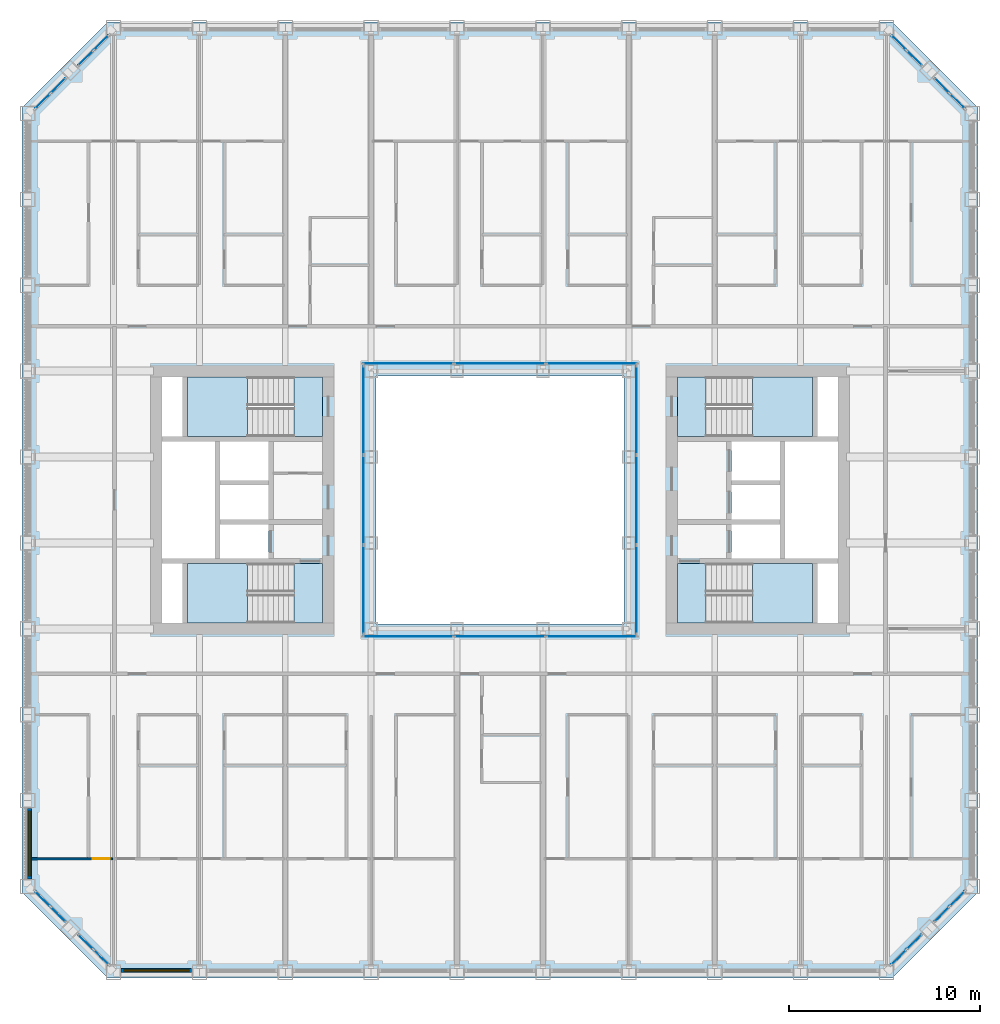
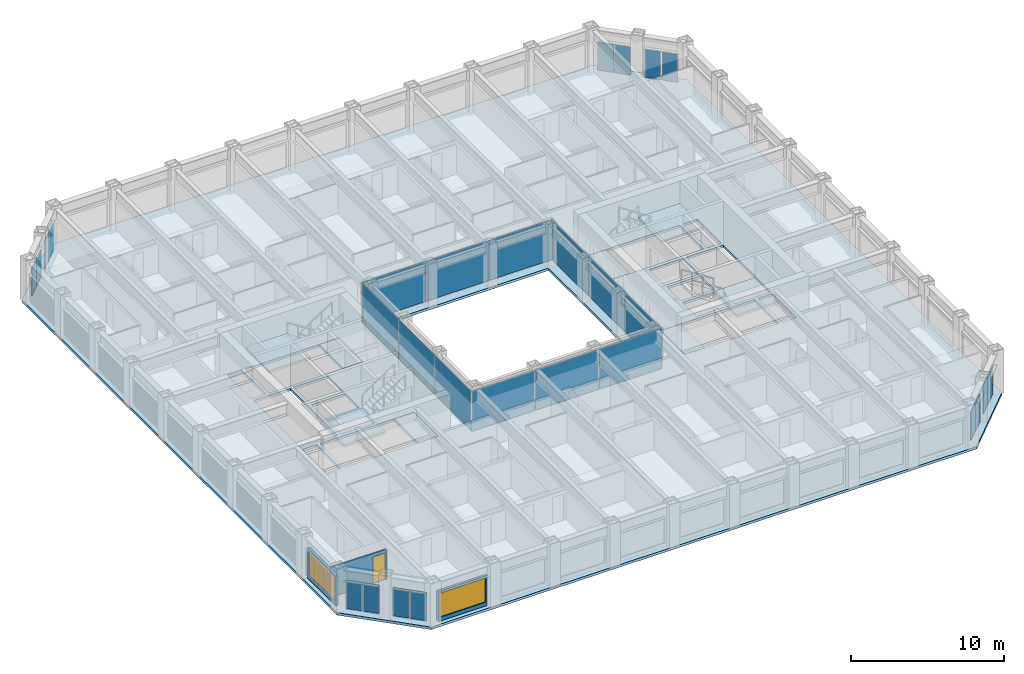
# One storey, part 8 of 20: 28 plates, 9 slabs, 3 walls, 2 windows, 1 door, 3 openings, 16 elements without a shape of their own.
"""IFC4 building model written with IfcOpenShell, lengths in metres."""

from ifc_helpers import new_model, si_unit, direction, frame, frame_2d, origin, origin_2d, place, context, subcontext, project, spatial, polyline, rectangle, outline, extrude, material, layer, layer_set, type_object, element, fill, aggregate, save


model = new_model("IFC4")

# Units and contexts
model_context = context("Model", 3, precision=1e-05, world=origin(), true_north=direction((0.0, 1.0)))
body_context = subcontext(model_context, "Body", "Model", "MODEL_VIEW")
ifc_project = project(units=[si_unit("LENGTHUNIT", "METRE"), si_unit("AREAUNIT", "SQUARE_METRE"), si_unit("VOLUMEUNIT", "CUBIC_METRE"), si_unit("PLANEANGLEUNIT", "RADIAN"), si_unit("MASSUNIT", "GRAM", prefix="KILO")], contexts=[model_context])

# Site, building, storey
site_placement = place(None, origin())
site = spatial("IfcSite", under=ifc_project, at=site_placement, CompositionType="ELEMENT")
building_placement = place(site_placement, origin())
building = spatial("IfcBuilding", under=site, at=building_placement, Name="Msasa Ring Tower", CompositionType="ELEMENT")
storey_placement = place(building_placement, frame((0.0, 0.0, 58.0)))
storey = spatial("IfcBuildingStorey", under=building, at=storey_placement, Name="L14", CompositionType="ELEMENT", Elevation=58.0)

# Curtain wall, plates
ifc_material_1 = material(Name="Aluminium curtain wall with clear glass", Category="aluminium")
curtain_wall_type_1 = type_object("IfcCurtainWallType", Name="CW-C CHAMFER CORNER CURTAIN WALL", PredefinedType="NOTDEFINED", material=ifc_material_1)
curtain_wall_1_placement = place(storey_placement, origin())
curtain_wall_1 = element("IfcCurtainWall", 1, at=curtain_wall_1_placement, inside=storey, type_object=curtain_wall_type_1, Name="Chamfer corner curtain wall SE L14", PredefinedType="NOTDEFINED")
ifc_material_2 = material(Name="Clear laminated insulating glass unit", Category="glass")
ifc_layer_1 = layer(ifc_material_2, 0.031982421875)
ifc_layer_set_1 = layer_set([ifc_layer_1], Name="CW-C GLASS PANEL 32")
plate_type_1 = type_object("IfcPlateType", Name="CW-C GLASS PANEL 32", PredefinedType="CURTAIN_PANEL", material=ifc_layer_set_1)
plate_1_placement = place(storey_placement, frame((20.896484375, -23.962158203125, 0.06494140625), z_axis=(0.0, 0.0, 1.0), x_axis=(0.707106781187, 0.707106781187, 0.0)))
plate_1 = element("IfcPlate", 2, at=plate_1_placement, type_object=plate_type_1, Name="CW-C panel 1.1", PredefinedType="CURTAIN_PANEL", context=body_context, shape_type="SweptSolid", body=[
    extrude(rectangle(XDim=1.08837890625, YDim=0.031982421875, at=origin_2d()), origin(), (0.0, 0.0, 1.0), 2.2490234375),
])
plate_2_placement = place(storey_placement, frame((21.712158203125, -23.146484375, 0.06494140625), z_axis=(0.0, 0.0, 1.0), x_axis=(0.707106781187, 0.707106781187, 0.0)))
plate_2 = element("IfcPlate", 3, at=plate_2_placement, type_object=plate_type_1, Name="CW-C panel 2.1", PredefinedType="CURTAIN_PANEL", context=body_context, shape_type="SweptSolid", body=[
    extrude(rectangle(XDim=1.08837890625, YDim=0.031982421875, at=origin_2d()), origin(), (0.0, 0.0, 1.0), 2.2490234375),
])
aggregate(curtain_wall_1, [plate_1, plate_2])

curtain_wall_2_placement = place(storey_placement, origin())
curtain_wall_2 = element("IfcCurtainWall", 4, at=curtain_wall_2_placement, inside=storey, type_object=curtain_wall_type_1, Name="Chamfer corner curtain wall SE L14", PredefinedType="NOTDEFINED")
plate_3_placement = place(storey_placement, frame((23.146484375, -21.712158203125, 0.06494140625), z_axis=(0.0, 0.0, 1.0), x_axis=(0.707106781187, 0.707106781187, 0.0)))
plate_3 = element("IfcPlate", 5, at=plate_3_placement, type_object=plate_type_1, Name="CW-C panel 1.1", PredefinedType="CURTAIN_PANEL", context=body_context, shape_type="SweptSolid", body=[
    extrude(rectangle(XDim=1.08837890625, YDim=0.031982421875, at=origin_2d()), origin(), (0.0, 0.0, 1.0), 2.2490234375),
])
plate_4_placement = place(storey_placement, frame((23.962158203125, -20.896484375, 0.06494140625), z_axis=(0.0, 0.0, 1.0), x_axis=(0.707106781187, 0.707106781187, 0.0)))
plate_4 = element("IfcPlate", 6, at=plate_4_placement, type_object=plate_type_1, Name="CW-C panel 2.1", PredefinedType="CURTAIN_PANEL", context=body_context, shape_type="SweptSolid", body=[
    extrude(rectangle(XDim=1.08837890625, YDim=0.031982421875, at=origin_2d()), origin(), (0.0, 0.0, 1.0), 2.2490234375),
])
aggregate(curtain_wall_2, [plate_3, plate_4])

curtain_wall_3_placement = place(storey_placement, origin())
curtain_wall_3 = element("IfcCurtainWall", 7, at=curtain_wall_3_placement, inside=storey, type_object=curtain_wall_type_1, Name="Chamfer corner curtain wall NE L14", PredefinedType="NOTDEFINED")
plate_5_placement = place(storey_placement, frame((21.712158203125, 23.146484375, 0.06494140625), z_axis=(0.0, 0.0, 1.0), x_axis=(-0.707106781187, 0.707106781187, 0.0)))
plate_5 = element("IfcPlate", 8, at=plate_5_placement, type_object=plate_type_1, Name="CW-C panel 1.1", PredefinedType="CURTAIN_PANEL", context=body_context, shape_type="SweptSolid", body=[
    extrude(rectangle(XDim=1.08837890625, YDim=0.031982421875, at=origin_2d()), origin(), (0.0, 0.0, 1.0), 2.2490234375),
])
plate_6_placement = place(storey_placement, frame((20.896484375, 23.962158203125, 0.06494140625), z_axis=(0.0, 0.0, 1.0), x_axis=(-0.707106781187, 0.707106781187, 0.0)))
plate_6 = element("IfcPlate", 9, at=plate_6_placement, type_object=plate_type_1, Name="CW-C panel 2.1", PredefinedType="CURTAIN_PANEL", context=body_context, shape_type="SweptSolid", body=[
    extrude(rectangle(XDim=1.08837890625, YDim=0.031982421875, at=origin_2d()), origin(), (0.0, 0.0, 1.0), 2.2490234375),
])
aggregate(curtain_wall_3, [plate_5, plate_6])

curtain_wall_4_placement = place(storey_placement, origin())
curtain_wall_4 = element("IfcCurtainWall", 10, at=curtain_wall_4_placement, inside=storey, type_object=curtain_wall_type_1, Name="Chamfer corner curtain wall NE L14", PredefinedType="NOTDEFINED")
plate_7_placement = place(storey_placement, frame((23.962158203125, 20.896484375, 0.06494140625), z_axis=(0.0, 0.0, 1.0), x_axis=(-0.707106781187, 0.707106781187, 0.0)))
plate_7 = element("IfcPlate", 11, at=plate_7_placement, type_object=plate_type_1, Name="CW-C panel 1.1", PredefinedType="CURTAIN_PANEL", context=body_context, shape_type="SweptSolid", body=[
    extrude(rectangle(XDim=1.08837890625, YDim=0.031982421875, at=origin_2d()), origin(), (0.0, 0.0, 1.0), 2.2490234375),
])
plate_8_placement = place(storey_placement, frame((23.146484375, 21.712158203125, 0.06494140625), z_axis=(0.0, 0.0, 1.0), x_axis=(-0.707106781187, 0.707106781187, 0.0)))
plate_8 = element("IfcPlate", 12, at=plate_8_placement, type_object=plate_type_1, Name="CW-C panel 2.1", PredefinedType="CURTAIN_PANEL", context=body_context, shape_type="SweptSolid", body=[
    extrude(rectangle(XDim=1.08837890625, YDim=0.031982421875, at=origin_2d()), origin(), (0.0, 0.0, 1.0), 2.2490234375),
])
aggregate(curtain_wall_4, [plate_7, plate_8])

curtain_wall_5_placement = place(storey_placement, origin())
curtain_wall_5 = element("IfcCurtainWall", 13, at=curtain_wall_5_placement, inside=storey, type_object=curtain_wall_type_1, Name="Chamfer corner curtain wall NW L14", PredefinedType="NOTDEFINED")
plate_9_placement = place(storey_placement, frame((-23.146484375, 21.712158203125, 0.06494140625), z_axis=(0.0, 0.0, 1.0), x_axis=(-0.707106781187, -0.707106781187, 0.0)))
plate_9 = element("IfcPlate", 14, at=plate_9_placement, type_object=plate_type_1, Name="CW-C panel 1.1", PredefinedType="CURTAIN_PANEL", context=body_context, shape_type="SweptSolid", body=[
    extrude(rectangle(XDim=1.08837890625, YDim=0.031982421875, at=origin_2d()), origin(), (0.0, 0.0, 1.0), 2.2490234375),
])
plate_10_placement = place(storey_placement, frame((-23.962158203125, 20.896484375, 0.06494140625), z_axis=(0.0, 0.0, 1.0), x_axis=(-0.707106781187, -0.707106781187, 0.0)))
plate_10 = element("IfcPlate", 15, at=plate_10_placement, type_object=plate_type_1, Name="CW-C panel 2.1", PredefinedType="CURTAIN_PANEL", context=body_context, shape_type="SweptSolid", body=[
    extrude(rectangle(XDim=1.08837890625, YDim=0.031982421875, at=origin_2d()), origin(), (0.0, 0.0, 1.0), 2.2490234375),
])
aggregate(curtain_wall_5, [plate_9, plate_10])

curtain_wall_6_placement = place(storey_placement, origin())
curtain_wall_6 = element("IfcCurtainWall", 16, at=curtain_wall_6_placement, inside=storey, type_object=curtain_wall_type_1, Name="Chamfer corner curtain wall NW L14", PredefinedType="NOTDEFINED")
plate_11_placement = place(storey_placement, frame((-20.896484375, 23.962158203125, 0.06494140625), z_axis=(0.0, 0.0, 1.0), x_axis=(-0.707106781187, -0.707106781187, 0.0)))
plate_11 = element("IfcPlate", 17, at=plate_11_placement, type_object=plate_type_1, Name="CW-C panel 1.1", PredefinedType="CURTAIN_PANEL", context=body_context, shape_type="SweptSolid", body=[
    extrude(rectangle(XDim=1.08837890625, YDim=0.031982421875, at=origin_2d()), origin(), (0.0, 0.0, 1.0), 2.2490234375),
])
plate_12_placement = place(storey_placement, frame((-21.712158203125, 23.146484375, 0.06494140625), z_axis=(0.0, 0.0, 1.0), x_axis=(-0.707106781187, -0.707106781187, 0.0)))
plate_12 = element("IfcPlate", 18, at=plate_12_placement, type_object=plate_type_1, Name="CW-C panel 2.1", PredefinedType="CURTAIN_PANEL", context=body_context, shape_type="SweptSolid", body=[
    extrude(rectangle(XDim=1.08837890625, YDim=0.031982421875, at=origin_2d()), origin(), (0.0, 0.0, 1.0), 2.2490234375),
])
aggregate(curtain_wall_6, [plate_11, plate_12])

curtain_wall_7_placement = place(storey_placement, origin())
curtain_wall_7 = element("IfcCurtainWall", 19, at=curtain_wall_7_placement, inside=storey, type_object=curtain_wall_type_1, Name="Chamfer corner curtain wall SW L14", PredefinedType="NOTDEFINED")
plate_13_placement = place(storey_placement, frame((-23.962158203125, -20.896484375, 0.06494140625), z_axis=(0.0, 0.0, 1.0), x_axis=(0.707106781187, -0.707106781187, 0.0)))
plate_13 = element("IfcPlate", 20, at=plate_13_placement, type_object=plate_type_1, Name="CW-C panel 1.1", PredefinedType="CURTAIN_PANEL", context=body_context, shape_type="SweptSolid", body=[
    extrude(rectangle(XDim=1.08837890625, YDim=0.031982421875, at=origin_2d()), origin(), (0.0, 0.0, 1.0), 2.2490234375),
])
plate_14_placement = place(storey_placement, frame((-23.146484375, -21.712158203125, 0.06494140625), z_axis=(0.0, 0.0, 1.0), x_axis=(0.707106781187, -0.707106781187, 0.0)))
plate_14 = element("IfcPlate", 21, at=plate_14_placement, type_object=plate_type_1, Name="CW-C panel 2.1", PredefinedType="CURTAIN_PANEL", context=body_context, shape_type="SweptSolid", body=[
    extrude(rectangle(XDim=1.08837890625, YDim=0.031982421875, at=origin_2d()), origin(), (0.0, 0.0, 1.0), 2.2490234375),
])
aggregate(curtain_wall_7, [plate_13, plate_14])

curtain_wall_8_placement = place(storey_placement, origin())
curtain_wall_8 = element("IfcCurtainWall", 22, at=curtain_wall_8_placement, inside=storey, type_object=curtain_wall_type_1, Name="Chamfer corner curtain wall SW L14", PredefinedType="NOTDEFINED")
plate_15_placement = place(storey_placement, frame((-21.712158203125, -23.146484375, 0.06494140625), z_axis=(0.0, 0.0, 1.0), x_axis=(0.707106781187, -0.707106781187, 0.0)))
plate_15 = element("IfcPlate", 23, at=plate_15_placement, type_object=plate_type_1, Name="CW-C panel 1.1", PredefinedType="CURTAIN_PANEL", context=body_context, shape_type="SweptSolid", body=[
    extrude(rectangle(XDim=1.08837890625, YDim=0.031982421875, at=origin_2d()), origin(), (0.0, 0.0, 1.0), 2.2490234375),
])
plate_16_placement = place(storey_placement, frame((-20.896484375, -23.962158203125, 0.06494140625), z_axis=(0.0, 0.0, 1.0), x_axis=(0.707106781187, -0.707106781187, 0.0)))
plate_16 = element("IfcPlate", 24, at=plate_16_placement, type_object=plate_type_1, Name="CW-C panel 2.1", PredefinedType="CURTAIN_PANEL", context=body_context, shape_type="SweptSolid", body=[
    extrude(rectangle(XDim=1.08837890625, YDim=0.031982421875, at=origin_2d()), origin(), (0.0, 0.0, 1.0), 2.2490234375),
])
aggregate(curtain_wall_8, [plate_15, plate_16])

ifc_material_3 = material(Name="Aluminium curtain wall with clear glass", Category="aluminium")
curtain_wall_type_2 = type_object("IfcCurtainWallType", Name="CW-W LIGHT WELL CURTAIN WALL", PredefinedType="NOTDEFINED", material=ifc_material_3)
curtain_wall_9_placement = place(storey_placement, origin())
curtain_wall_9 = element("IfcCurtainWall", 25, at=curtain_wall_9_placement, inside=storey, type_object=curtain_wall_type_2, Name="Light well curtain wall N L14", PredefinedType="NOTDEFINED")
ifc_material_4 = material(Name="Clear laminated insulating glass unit", Category="glass")
ifc_layer_2 = layer(ifc_material_4, 0.028076171875)
ifc_layer_set_2 = layer_set([ifc_layer_2], Name="CW-W GLASS PANEL 28")
plate_type_2 = type_object("IfcPlateType", Name="CW-W GLASS PANEL 28", PredefinedType="CURTAIN_PANEL", material=ifc_layer_set_2)
plate_17_placement = place(storey_placement, frame((-4.804931640625, 7.14990234375, 0.06005859375), z_axis=(0.0, 0.0, 1.0), x_axis=(1.0, 0.0, 0.0)))
plate_17 = element("IfcPlate", 26, at=plate_17_placement, type_object=plate_type_2, Name="CW-W panel 1.1", PredefinedType="CURTAIN_PANEL", context=body_context, shape_type="SweptSolid", body=[
    extrude(rectangle(XDim=4.72998046875, YDim=0.028076171875, at=origin_2d()), origin(), (0.0, 0.0, 1.0), 3.179931640625),
])
plate_18_placement = place(storey_placement, frame((0.0, 7.14990234375, 0.06005859375), z_axis=(0.0, 0.0, 1.0), x_axis=(1.0, 0.0, 0.0)))
plate_18 = element("IfcPlate", 27, at=plate_18_placement, type_object=plate_type_2, Name="CW-W panel 2.1", PredefinedType="CURTAIN_PANEL", context=body_context, shape_type="SweptSolid", body=[
    extrude(rectangle(XDim=4.760009765625, YDim=0.028076171875, at=origin_2d()), origin(), (0.0, 0.0, 1.0), 3.179931640625),
])
plate_19_placement = place(storey_placement, frame((4.804931640625, 7.14990234375, 0.06005859375), z_axis=(0.0, 0.0, 1.0), x_axis=(1.0, 0.0, 0.0)))
plate_19 = element("IfcPlate", 28, at=plate_19_placement, type_object=plate_type_2, Name="CW-W panel 3.1", PredefinedType="CURTAIN_PANEL", context=body_context, shape_type="SweptSolid", body=[
    extrude(rectangle(XDim=4.72998046875, YDim=0.028076171875, at=origin_2d()), origin(), (0.0, 0.0, 1.0), 3.179931640625),
])
aggregate(curtain_wall_9, [plate_17, plate_18, plate_19])

curtain_wall_10_placement = place(storey_placement, origin())
curtain_wall_10 = element("IfcCurtainWall", 29, at=curtain_wall_10_placement, inside=storey, type_object=curtain_wall_type_2, Name="Light well curtain wall S L14", PredefinedType="NOTDEFINED")
plate_20_placement = place(storey_placement, frame((-4.804931640625, -7.14990234375, 0.06005859375), z_axis=(0.0, 0.0, 1.0), x_axis=(1.0, 0.0, 0.0)))
plate_20 = element("IfcPlate", 30, at=plate_20_placement, type_object=plate_type_2, Name="CW-W panel 1.1", PredefinedType="CURTAIN_PANEL", context=body_context, shape_type="SweptSolid", body=[
    extrude(rectangle(XDim=4.72998046875, YDim=0.028076171875, at=origin_2d()), origin(), (0.0, 0.0, 1.0), 3.179931640625),
])
plate_21_placement = place(storey_placement, frame((0.0, -7.14990234375, 0.06005859375), z_axis=(0.0, 0.0, 1.0), x_axis=(1.0, 0.0, 0.0)))
plate_21 = element("IfcPlate", 31, at=plate_21_placement, type_object=plate_type_2, Name="CW-W panel 2.1", PredefinedType="CURTAIN_PANEL", context=body_context, shape_type="SweptSolid", body=[
    extrude(rectangle(XDim=4.760009765625, YDim=0.028076171875, at=origin_2d()), origin(), (0.0, 0.0, 1.0), 3.179931640625),
])
plate_22_placement = place(storey_placement, frame((4.804931640625, -7.14990234375, 0.06005859375), z_axis=(0.0, 0.0, 1.0), x_axis=(1.0, 0.0, 0.0)))
plate_22 = element("IfcPlate", 32, at=plate_22_placement, type_object=plate_type_2, Name="CW-W panel 3.1", PredefinedType="CURTAIN_PANEL", context=body_context, shape_type="SweptSolid", body=[
    extrude(rectangle(XDim=4.72998046875, YDim=0.028076171875, at=origin_2d()), origin(), (0.0, 0.0, 1.0), 3.179931640625),
])
aggregate(curtain_wall_10, [plate_20, plate_21, plate_22])

curtain_wall_11_placement = place(storey_placement, origin())
curtain_wall_11 = element("IfcCurtainWall", 33, at=curtain_wall_11_placement, inside=storey, type_object=curtain_wall_type_2, Name="Light well curtain wall E L14", PredefinedType="NOTDEFINED")
plate_23_placement = place(storey_placement, frame((7.14990234375, -4.6982421875, 0.06005859375), z_axis=(0.0, 0.0, 1.0), x_axis=(0.0, 1.0, 0.0)))
plate_23 = element("IfcPlate", 34, at=plate_23_placement, type_object=plate_type_2, Name="CW-W panel 1.1", PredefinedType="CURTAIN_PANEL", context=body_context, shape_type="SweptSolid", body=[
    extrude(rectangle(XDim=4.623291015625, YDim=0.028076171875, at=origin_2d()), origin(), (0.0, 0.0, 1.0), 3.179931640625),
])
plate_24_placement = place(storey_placement, frame((7.14990234375, 0.0, 0.06005859375), z_axis=(0.0, 0.0, 1.0), x_axis=(0.0, 1.0, 0.0)))
plate_24 = element("IfcPlate", 35, at=plate_24_placement, type_object=plate_type_2, Name="CW-W panel 2.1", PredefinedType="CURTAIN_PANEL", context=body_context, shape_type="SweptSolid", body=[
    extrude(rectangle(XDim=4.6533203125, YDim=0.028076171875, at=origin_2d()), origin(), (0.0, 0.0, 1.0), 3.179931640625),
])
plate_25_placement = place(storey_placement, frame((7.14990234375, 4.6982421875, 0.06005859375), z_axis=(0.0, 0.0, 1.0), x_axis=(0.0, 1.0, 0.0)))
plate_25 = element("IfcPlate", 36, at=plate_25_placement, type_object=plate_type_2, Name="CW-W panel 3.1", PredefinedType="CURTAIN_PANEL", context=body_context, shape_type="SweptSolid", body=[
    extrude(rectangle(XDim=4.623291015625, YDim=0.028076171875, at=origin_2d()), origin(), (0.0, 0.0, 1.0), 3.179931640625),
])
aggregate(curtain_wall_11, [plate_23, plate_24, plate_25])

curtain_wall_12_placement = place(storey_placement, origin())
curtain_wall_12 = element("IfcCurtainWall", 37, at=curtain_wall_12_placement, inside=storey, type_object=curtain_wall_type_2, Name="Light well curtain wall W L14", PredefinedType="NOTDEFINED")
plate_26_placement = place(storey_placement, frame((-7.14990234375, -4.6982421875, 0.06005859375), z_axis=(0.0, 0.0, 1.0), x_axis=(0.0, 1.0, 0.0)))
plate_26 = element("IfcPlate", 38, at=plate_26_placement, type_object=plate_type_2, Name="CW-W panel 1.1", PredefinedType="CURTAIN_PANEL", context=body_context, shape_type="SweptSolid", body=[
    extrude(rectangle(XDim=4.623291015625, YDim=0.028076171875, at=origin_2d()), origin(), (0.0, 0.0, 1.0), 3.179931640625),
])
plate_27_placement = place(storey_placement, frame((-7.14990234375, 0.0, 0.06005859375), z_axis=(0.0, 0.0, 1.0), x_axis=(0.0, 1.0, 0.0)))
plate_27 = element("IfcPlate", 39, at=plate_27_placement, type_object=plate_type_2, Name="CW-W panel 2.1", PredefinedType="CURTAIN_PANEL", context=body_context, shape_type="SweptSolid", body=[
    extrude(rectangle(XDim=4.6533203125, YDim=0.028076171875, at=origin_2d()), origin(), (0.0, 0.0, 1.0), 3.179931640625),
])
plate_28_placement = place(storey_placement, frame((-7.14990234375, 4.6982421875, 0.06005859375), z_axis=(0.0, 0.0, 1.0), x_axis=(0.0, 1.0, 0.0)))
plate_28 = element("IfcPlate", 40, at=plate_28_placement, type_object=plate_type_2, Name="CW-W panel 3.1", PredefinedType="CURTAIN_PANEL", context=body_context, shape_type="SweptSolid", body=[
    extrude(rectangle(XDim=4.623291015625, YDim=0.028076171875, at=origin_2d()), origin(), (0.0, 0.0, 1.0), 3.179931640625),
])
aggregate(curtain_wall_12, [plate_26, plate_27, plate_28])

# Stair, slabs
ifc_material_5 = material(Name="Concrete C40/50", Category="concrete")
stair_type = type_object("IfcStairType", Name="STC CORE STAIR 20 RISERS 175", PredefinedType="HALF_TURN_STAIR", material=ifc_material_5)
stair_1_placement = place(storey_placement, origin())
stair_1 = element("IfcStair", 41, at=stair_1_placement, inside=storey, type_object=stair_type, Name="Core stair SEA L14", PredefinedType="HALF_TURN_STAIR")
ifc_material_6 = material(Name="Concrete C40/50", Category="concrete")
ifc_layer_3 = layer(ifc_material_6, 0.199951171875)
ifc_layer_set_3 = layer_set([ifc_layer_3], Name="LD1 CORE STAIR LANDING 200")
slab_type_1 = type_object("IfcSlabType", Name="LD1 CORE STAIR LANDING 200", PredefinedType="LANDING", material=ifc_layer_set_3)
slab_1_placement = place(storey_placement, frame((0.0, 0.0, -0.199951171875)))
slab_1 = element("IfcSlab", 42, at=slab_1_placement, type_object=slab_type_1, Name="SEA landing 1", PredefinedType="LANDING", context=body_context, shape_type="SweptSolid", body=[
    extrude(outline(polyline([(9.300048828125, -6.449951171875), (10.800048828125, -6.449951171875), (10.800048828125, -3.324951171875), (9.300048828125, -3.324951171875), (9.300048828125, -6.449951171875)])), origin(), (0.0, 0.0, 1.0), 0.199951171875),
])
slab_2_placement = place(storey_placement, frame((0.0, 0.0, 1.550048828125)))
slab_2 = element("IfcSlab", 43, at=slab_2_placement, type_object=slab_type_1, Name="SEA landing 2", PredefinedType="LANDING", context=body_context, shape_type="SweptSolid", body=[
    extrude(outline(polyline([(13.22998046875, -6.449951171875), (16.375, -6.449951171875), (16.375, -3.324951171875), (13.22998046875, -3.324951171875), (13.22998046875, -6.449951171875)])), origin(), (0.0, 0.0, 1.0), 0.199951171875),
])
aggregate(stair_1, [slab_1, slab_2])

stair_2_placement = place(storey_placement, origin())
stair_2 = element("IfcStair", 44, at=stair_2_placement, inside=storey, type_object=stair_type, Name="Core stair SEB L14", PredefinedType="HALF_TURN_STAIR")
slab_3_placement = place(storey_placement, frame((0.0, 0.0, -0.199951171875)))
slab_3 = element("IfcSlab", 45, at=slab_3_placement, type_object=slab_type_1, Name="SEB landing 1", PredefinedType="LANDING", context=body_context, shape_type="SweptSolid", body=[
    extrude(outline(polyline([(9.300048828125, 3.324951171875), (10.800048828125, 3.324951171875), (10.800048828125, 6.449951171875), (9.300048828125, 6.449951171875), (9.300048828125, 3.324951171875)])), origin(), (0.0, 0.0, 1.0), 0.199951171875),
])
slab_4_placement = place(storey_placement, frame((0.0, 0.0, 1.550048828125)))
slab_4 = element("IfcSlab", 46, at=slab_4_placement, type_object=slab_type_1, Name="SEB landing 2", PredefinedType="LANDING", context=body_context, shape_type="SweptSolid", body=[
    extrude(outline(polyline([(13.22998046875, 3.324951171875), (16.375, 3.324951171875), (16.375, 6.449951171875), (13.22998046875, 6.449951171875), (13.22998046875, 3.324951171875)])), origin(), (0.0, 0.0, 1.0), 0.199951171875),
])
aggregate(stair_2, [slab_3, slab_4])

stair_3_placement = place(storey_placement, origin())
stair_3 = element("IfcStair", 47, at=stair_3_placement, inside=storey, type_object=stair_type, Name="Core stair SWA L14", PredefinedType="HALF_TURN_STAIR")
slab_5_placement = place(storey_placement, frame((0.0, 0.0, -0.199951171875)))
slab_5 = element("IfcSlab", 48, at=slab_5_placement, type_object=slab_type_1, Name="SWA landing 1", PredefinedType="LANDING", context=body_context, shape_type="SweptSolid", body=[
    extrude(outline(polyline([(-10.800048828125, -6.449951171875), (-9.300048828125, -6.449951171875), (-9.300048828125, -3.324951171875), (-10.800048828125, -3.324951171875), (-10.800048828125, -6.449951171875)])), origin(), (0.0, 0.0, 1.0), 0.199951171875),
])
slab_6_placement = place(storey_placement, frame((0.0, 0.0, 1.550048828125)))
slab_6 = element("IfcSlab", 49, at=slab_6_placement, type_object=slab_type_1, Name="SWA landing 2", PredefinedType="LANDING", context=body_context, shape_type="SweptSolid", body=[
    extrude(outline(polyline([(-16.375, -6.449951171875), (-13.22998046875, -6.449951171875), (-13.22998046875, -3.324951171875), (-16.375, -3.324951171875), (-16.375, -6.449951171875)])), origin(), (0.0, 0.0, 1.0), 0.199951171875),
])
aggregate(stair_3, [slab_5, slab_6])

stair_4_placement = place(storey_placement, origin())
stair_4 = element("IfcStair", 50, at=stair_4_placement, inside=storey, type_object=stair_type, Name="Core stair SWB L14", PredefinedType="HALF_TURN_STAIR")
slab_7_placement = place(storey_placement, frame((0.0, 0.0, -0.199951171875)))
slab_7 = element("IfcSlab", 51, at=slab_7_placement, type_object=slab_type_1, Name="SWB landing 1", PredefinedType="LANDING", context=body_context, shape_type="SweptSolid", body=[
    extrude(outline(polyline([(-10.800048828125, 3.324951171875), (-9.300048828125, 3.324951171875), (-9.300048828125, 6.449951171875), (-10.800048828125, 6.449951171875), (-10.800048828125, 3.324951171875)])), origin(), (0.0, 0.0, 1.0), 0.199951171875),
])
slab_8_placement = place(storey_placement, frame((0.0, 0.0, 1.550048828125)))
slab_8 = element("IfcSlab", 52, at=slab_8_placement, type_object=slab_type_1, Name="SWB landing 2", PredefinedType="LANDING", context=body_context, shape_type="SweptSolid", body=[
    extrude(outline(polyline([(-16.375, 3.324951171875), (-13.22998046875, 3.324951171875), (-13.22998046875, 6.449951171875), (-16.375, 6.449951171875), (-16.375, 3.324951171875)])), origin(), (0.0, 0.0, 1.0), 0.199951171875),
])
aggregate(stair_4, [slab_7, slab_8])

# Slab
ifc_material_7 = material(Name="Concrete C40/50", Category="concrete")
ifc_layer_4 = layer(ifc_material_7, 0.199951171875)
ifc_layer_set_4 = layer_set([ifc_layer_4], Name="S3 RESIDENCE FLOOR 200")
slab_type_2 = type_object("IfcSlabType", Name="S3 RESIDENCE FLOOR 200", PredefinedType="FLOOR", material=ifc_layer_set_4)
slab_9_placement = place(storey_placement, frame((0.0, 0.0, -0.199951171875)))
element("IfcSlab", 53, at=slab_9_placement, inside=storey, type_object=slab_type_2, Name="Floor slab L14", PredefinedType="FLOOR", context=body_context, shape_type="SweptSolid", body=[
    extrude(outline(polyline([(-20.550048828125, -25.050048828125), (20.550048828125, -25.050048828125), (25.050048828125, -20.550048828125), (25.050048828125, 20.550048828125), (20.550048828125, 25.050048828125), (-20.550048828125, 25.050048828125), (-25.050048828125, 20.550048828125), (-25.050048828125, -20.550048828125), (-20.550048828125, -25.050048828125)]), holes=[polyline([(-6.5, -6.5), (6.5, -6.5), (6.5, 6.5), (-6.5, 6.5), (-6.5, -6.5)]), polyline([(9.300048828125, -6.449951171875), (16.375, -6.449951171875), (16.375, -3.324951171875), (9.300048828125, -3.324951171875), (9.300048828125, -6.449951171875)]), polyline([(9.300048828125, 3.324951171875), (16.375, 3.324951171875), (16.375, 6.449951171875), (9.300048828125, 6.449951171875), (9.300048828125, 3.324951171875)]), polyline([(12.125, -3.074951171875), (14.675048828125, -3.074951171875), (14.675048828125, -1.27490234375), (12.125, -1.27490234375), (12.125, -3.074951171875)]), polyline([(12.125, -1.02490234375), (14.675048828125, -1.02490234375), (14.675048828125, 0.77490234375), (12.125, 0.77490234375), (12.125, -1.02490234375)]), polyline([(12.125, 1.02490234375), (14.675048828125, 1.02490234375), (14.675048828125, 3.074951171875), (12.125, 3.074951171875), (12.125, 1.02490234375)]), polyline([(16.625, -6.449951171875), (17.699951171875, -6.449951171875), (17.699951171875, -3.324951171875), (16.625, -3.324951171875), (16.625, -6.449951171875)]), polyline([(16.625, 3.324951171875), (17.699951171875, 3.324951171875), (17.699951171875, 6.449951171875), (16.625, 6.449951171875), (16.625, 3.324951171875)]), polyline([(14.925048828125, -3.074951171875), (17.699951171875, -3.074951171875), (17.699951171875, 3.074951171875), (14.925048828125, 3.074951171875), (14.925048828125, -3.074951171875)]), polyline([(-16.375, -6.449951171875), (-9.300048828125, -6.449951171875), (-9.300048828125, -3.324951171875), (-16.375, -3.324951171875), (-16.375, -6.449951171875)]), polyline([(-16.375, 3.324951171875), (-9.300048828125, 3.324951171875), (-9.300048828125, 6.449951171875), (-16.375, 6.449951171875), (-16.375, 3.324951171875)]), polyline([(-14.675048828125, -3.074951171875), (-12.125, -3.074951171875), (-12.125, -1.27490234375), (-14.675048828125, -1.27490234375), (-14.675048828125, -3.074951171875)]), polyline([(-14.675048828125, -1.02490234375), (-12.125, -1.02490234375), (-12.125, 0.77490234375), (-14.675048828125, 0.77490234375), (-14.675048828125, -1.02490234375)]), polyline([(-14.675048828125, 1.02490234375), (-12.125, 1.02490234375), (-12.125, 3.074951171875), (-14.675048828125, 3.074951171875), (-14.675048828125, 1.02490234375)]), polyline([(-17.699951171875, -6.449951171875), (-16.625, -6.449951171875), (-16.625, -3.324951171875), (-17.699951171875, -3.324951171875), (-17.699951171875, -6.449951171875)]), polyline([(-17.699951171875, 3.324951171875), (-16.625, 3.324951171875), (-16.625, 6.449951171875), (-17.699951171875, 6.449951171875), (-17.699951171875, 3.324951171875)]), polyline([(-17.699951171875, -3.074951171875), (-14.925048828125, -3.074951171875), (-14.925048828125, 3.074951171875), (-17.699951171875, 3.074951171875), (-17.699951171875, -3.074951171875)])]), origin(), (0.0, 0.0, 1.0), 0.199951171875),
])

# Wall, opening, window
ifc_material_8 = material(Name="Terracotta rainscreen on blockwork", Category="masonry")
ifc_layer_5 = layer(ifc_material_8, 0.199951171875)
ifc_layer_set_5 = layer_set([ifc_layer_5], Name="FW1 TERRACOTTA-LINED INFILL BAY WALL 200")
wall_type_1 = type_object("IfcWallType", Name="FW1 TERRACOTTA-LINED INFILL BAY WALL 200", PredefinedType="SOLIDWALL", material=ifc_layer_set_5)
wall_1_placement = place(storey_placement, frame((-19.844970703125, -24.64990234375, 0.0), z_axis=(0.0, 0.0, 1.0), x_axis=(1.0, 0.0, 0.0)))
wall_1 = element("IfcWall", 54, at=wall_1_placement, inside=storey, type_object=wall_type_1, Name="Infill bay wall S L14 00", PredefinedType="SOLIDWALL", context=body_context, shape_type="SweptSolid", body=[
    extrude(rectangle(XDim=3.68994140625, YDim=0.199951171875, at=frame_2d((1.844970703125, 0.0))), origin(), (0.0, 0.0, 1.0), 2.37890625),
])
opening_1_placement = place(wall_1_placement, frame((0.14501953125, 0.0, 0.300048828125)))
opening_1 = element("IfcOpeningElement", 55, at=opening_1_placement, cuts=wall_1, Name="Opening WN1", PredefinedType="OPENING", context=body_context, shape_type="SweptSolid", body=[
    extrude(rectangle(XDim=3.39990234375, YDim=1.928955078125, at=frame_2d((1.699951171875, 0.96435546875))), frame((0.0, 0.10986328125, 0.0), z_axis=(0.0, -1.0, 0.0), x_axis=(1.0, 0.0, 0.0)), (0.0, 0.0, 1.0), 0.219970703125),
])
ifc_material_9 = material(Name="Aluminium frame with clear glass", Category="aluminium")
window_type = type_object("IfcWindowType", Name="WN1 RESIDENCE WINDOW 3400x1929", PartitioningType="SINGLE_PANEL", PredefinedType="WINDOW", material=ifc_material_9)
window_1_placement = place(opening_1_placement, origin())
window_1 = element("IfcWindow", 56, at=window_1_placement, inside=storey, type_object=window_type, Name="Window S L14 00", OverallHeight=1.928955078125, OverallWidth=3.39990234375, PartitioningType="SINGLE_PANEL", PredefinedType="WINDOW", context=body_context, shape_type="SweptSolid", body=[
    extrude(rectangle(XDim=3.39990234375, YDim=1.928955078125, at=frame_2d((1.699951171875, 0.96435546875))), frame((0.0, 0.030029296875, 0.0), z_axis=(0.0, -1.0, 0.0), x_axis=(1.0, 0.0, 0.0)), (0.0, 0.0, 1.0), 0.06005859375),
])
fill(opening_1, window_1)

wall_2_placement = place(storey_placement, frame((-24.64990234375, -19.844970703125, 0.0), z_axis=(0.0, 0.0, 1.0), x_axis=(0.0, 1.0, 0.0)))
wall_2 = element("IfcWall", 57, at=wall_2_placement, inside=storey, type_object=wall_type_1, Name="Infill bay wall W L14 33", PredefinedType="SOLIDWALL", context=body_context, shape_type="SweptSolid", body=[
    extrude(rectangle(XDim=3.68994140625, YDim=0.199951171875, at=frame_2d((1.844970703125, 0.0))), origin(), (0.0, 0.0, 1.0), 2.37890625),
])
opening_2_placement = place(wall_2_placement, frame((0.14501953125, 0.0, 0.300048828125)))
opening_2 = element("IfcOpeningElement", 58, at=opening_2_placement, cuts=wall_2, Name="Opening WN1", PredefinedType="OPENING", context=body_context, shape_type="SweptSolid", body=[
    extrude(rectangle(XDim=3.39990234375, YDim=1.928955078125, at=frame_2d((1.699951171875, 0.96435546875))), frame((0.0, 0.10986328125, 0.0), z_axis=(0.0, -1.0, 0.0), x_axis=(1.0, 0.0, 0.0)), (0.0, 0.0, 1.0), 0.219970703125),
])
window_2_placement = place(opening_2_placement, origin())
window_2 = element("IfcWindow", 59, at=window_2_placement, inside=storey, type_object=window_type, Name="Window W L14 33", OverallHeight=1.928955078125, OverallWidth=3.39990234375, PartitioningType="SINGLE_PANEL", PredefinedType="WINDOW", context=body_context, shape_type="SweptSolid", body=[
    extrude(rectangle(XDim=3.39990234375, YDim=1.928955078125, at=frame_2d((1.699951171875, 0.96435546875))), frame((0.0, 0.030029296875, 0.0), z_axis=(0.0, -1.0, 0.0), x_axis=(1.0, 0.0, 0.0)), (0.0, 0.0, 1.0), 0.06005859375),
])
fill(opening_2, window_2)

# Wall, opening, door
ifc_material_10 = material(Name="Gypsum board on steel studs", Category="steel")
ifc_layer_6 = layer(ifc_material_10, 0.10009765625)
ifc_layer_set_6 = layer_set([ifc_layer_6], Name="PT2 STUD PARTITION 100")
wall_type_2 = type_object("IfcWallType", Name="PT2 STUD PARTITION 100", PredefinedType="PARTITIONING", material=ifc_layer_set_6)
wall_3_placement = place(storey_placement, frame((-24.550048828125, -18.800048828125, 0.0), z_axis=(0.0, 0.0, 1.0), x_axis=(1.0, 0.0, 0.0)))
wall_3 = element("IfcWall", 60, at=wall_3_placement, inside=storey, type_object=wall_type_2, Name="Partition L14-US00SY0", PredefinedType="PARTITIONING", context=body_context, shape_type="SweptSolid", body=[
    extrude(rectangle(XDim=4.25, YDim=0.10009765625, at=frame_2d((2.125, 0.0))), origin(), (0.0, 0.0, 1.0), 2.373291015625),
])
opening_3_placement = place(wall_3_placement, frame((3.199951171875, 0.0, 0.0)))
opening_3 = element("IfcOpeningElement", 61, at=opening_3_placement, cuts=wall_3, Name="Opening RD-064", PredefinedType="OPENING", context=body_context, shape_type="SweptSolid", body=[
    extrude(rectangle(XDim=0.89990234375, YDim=2.10009765625, at=frame_2d((0.449951171875, 1.050048828125))), frame((0.0, 0.06005859375, 0.0), z_axis=(0.0, -1.0, 0.0), x_axis=(1.0, 0.0, 0.0)), (0.0, 0.0, 1.0), 0.1201171875),
])
ifc_material_11 = material(Name="Timber door leaf in a steel frame", Category="steel")
door_type = type_object("IfcDoorType", Name="D22 INTERNAL HALL DOOR 900x2100", OperationType="SINGLE_SWING_LEFT", PredefinedType="DOOR", material=ifc_material_11)
door_placement = place(opening_3_placement, origin())
door = element("IfcDoor", 62, at=door_placement, inside=storey, type_object=door_type, Name="Door L14-US00L", OperationType="SINGLE_SWING_RIGHT", OverallHeight=2.10009765625, OverallWidth=0.89990234375, PredefinedType="DOOR", context=body_context, shape_type="SweptSolid", body=[
    extrude(rectangle(XDim=0.89990234375, YDim=2.10009765625, at=frame_2d((0.449951171875, 1.050048828125))), frame((0.0, 0.02490234375, 0.0), z_axis=(0.0, -1.0, 0.0), x_axis=(1.0, 0.0, 0.0)), (0.0, 0.0, 1.0), 0.050048828125),
])
fill(opening_3, door)

save(model, "model.ifc")
